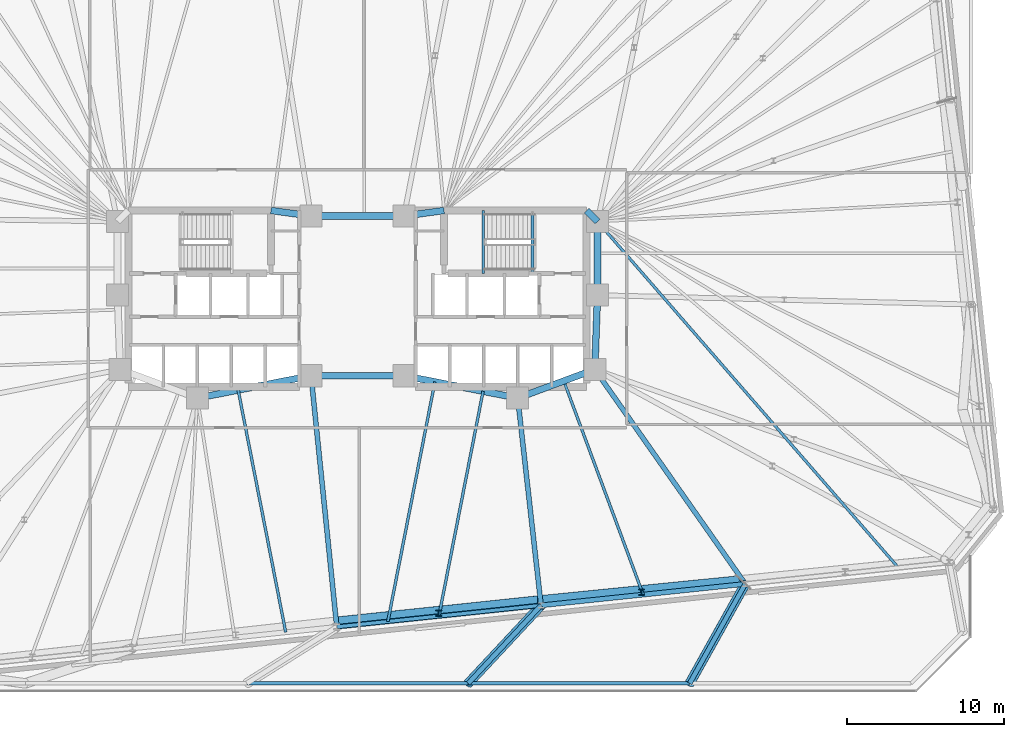
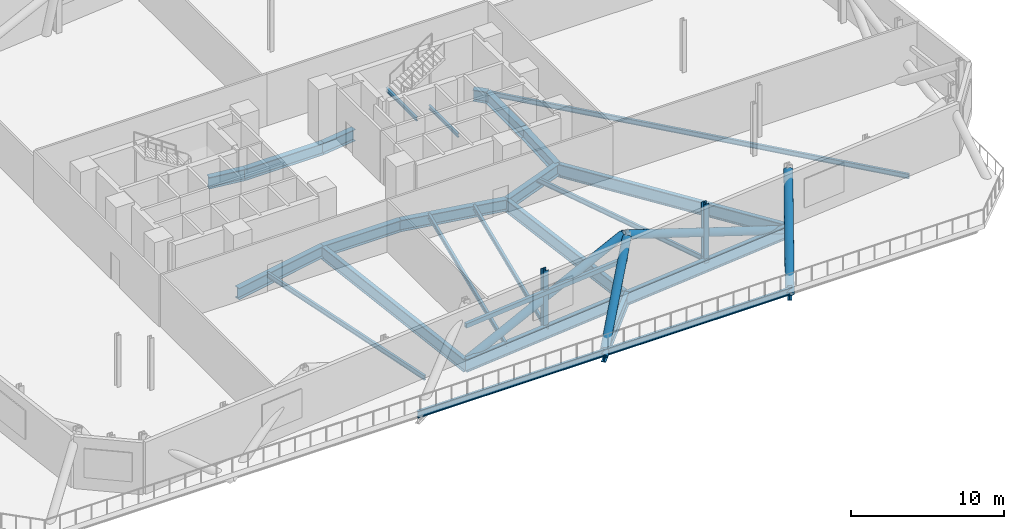
# One storey, part 7 of 17: 26 beams, 7 members.
"""IFC4 building model written with IfcOpenShell, lengths in metres."""

from ifc_helpers import new_model, si_unit, direction, frame, origin, origin_2d, place, context, subcontext, project, spatial, hollow_rectangle, hollow_circle, i_section, extrude, material, material_profile, profile_set, type_object, element, save


model = new_model("IFC4")

# Units and contexts
model_context = context("Model", 3, precision=1e-05, world=origin(), true_north=direction((0.0, 1.0)))
body_context = subcontext(model_context, "Body", "Model", "MODEL_VIEW")
ifc_project = project(units=[si_unit("LENGTHUNIT", "METRE"), si_unit("AREAUNIT", "SQUARE_METRE"), si_unit("VOLUMEUNIT", "CUBIC_METRE"), si_unit("PLANEANGLEUNIT", "RADIAN"), si_unit("MASSUNIT", "GRAM", prefix="KILO")], contexts=[model_context])

# Site, building, storey
site_placement = place(None, origin())
site = spatial("IfcSite", under=ifc_project, at=site_placement, CompositionType="ELEMENT")
building_placement = place(site_placement, origin())
building = spatial("IfcBuilding", under=site, at=building_placement, Name="Menara Jurai Vektor", CompositionType="ELEMENT")
storey_placement = place(building_placement, frame((0.0, 0.0, 78.800048828125)))
storey = spatial("IfcBuildingStorey", under=building, at=storey_placement, Name="L19", CompositionType="ELEMENT", Elevation=78.800048828125)

# Beams
ifc_material_1 = material(Name="Steel S355", Category="steel")
ifc_material_profile_1 = material_profile(ifc_material_1, i_section(OverallWidth=0.2109375, OverallDepth=0.5390625, WebThickness=0.011962890625, FlangeThickness=0.01904296875, FilletRadius=0.012939453125, at=origin_2d()), Name="UKB 533x210x109")
ifc_profile_set_1 = profile_set([ifc_material_profile_1], Name="Steel S355")
beam_type_1 = type_object("IfcBeamType", Name="STR-BM-533", PredefinedType="BEAM", material=ifc_profile_set_1)
beam_1_placement = place(storey_placement, frame((-7.03564453125, -24.449951171875, -0.674560546875), z_axis=(1.0, 0.0, 0.0), x_axis=(0.0, 1.0, 0.0)))
element("IfcBeam", 1, at=beam_1_placement, inside=storey, type_object=beam_type_1, Name="Step Terrace Edge Beam L19-03", PredefinedType="BEAM", context=body_context, shape_type="SweptSolid", body=[
    extrude(i_section(OverallWidth=0.2109375, OverallDepth=0.5390625, WebThickness=0.011962890625, FlangeThickness=0.01904296875, FilletRadius=0.012939453125, at=origin_2d()), origin(), (0.0, 0.0, 1.0), 14.0712890625),
])
beam_2_placement = place(storey_placement, frame((7.03564453125, -24.449951171875, -0.674560546875), z_axis=(1.0, 0.0, 0.0), x_axis=(0.0, 1.0, 0.0)))
element("IfcBeam", 2, at=beam_2_placement, inside=storey, type_object=beam_type_1, Name="Step Terrace Edge Beam L19-04", PredefinedType="BEAM", context=body_context, shape_type="SweptSolid", body=[
    extrude(i_section(OverallWidth=0.2109375, OverallDepth=0.5390625, WebThickness=0.011962890625, FlangeThickness=0.01904296875, FilletRadius=0.012939453125, at=origin_2d()), origin(), (0.0, 0.0, 1.0), 14.071044921875),
])
ifc_material_2 = material(Name="Steel S460", Category="steel")
ifc_material_profile_2 = material_profile(ifc_material_2, i_section(OverallWidth=0.30908203125, OverallDepth=1.035888671875, WebThickness=0.030029296875, FlangeThickness=0.053955078125, FilletRadius=0.030029296875, at=origin_2d()), Name="UKB 1016x305x487")
ifc_profile_set_2 = profile_set([ifc_material_profile_2], Name="Steel S460")
beam_type_2 = type_object("IfcBeamType", Name="STR-BM-TR1016", PredefinedType="BEAM", material=ifc_profile_set_2)
beam_3_placement = place(storey_placement, frame((-1.31689453125, -20.85791015625, -0.923095703125), z_axis=(0.994519486762, 0.104551377088, 0.0), x_axis=(-0.104551377088, 0.994519486762, 0.0)))
element("IfcBeam", 3, at=beam_3_placement, inside=storey, type_object=beam_type_2, Name="Belt Truss Bottom Chord L19-03", PredefinedType="BEAM", context=body_context, shape_type="SweptSolid", body=[
    extrude(i_section(OverallWidth=0.30908203125, OverallDepth=1.035888671875, WebThickness=0.030029296875, FlangeThickness=0.053955078125, FilletRadius=0.030029296875, at=origin_2d()), origin(), (0.0, 0.0, 1.0), 13.051025390625),
])
beam_4_placement = place(storey_placement, frame((-1.31689453125, -20.85791015625, -0.923095703125), z_axis=(-0.101802947506, 0.994804583765, 0.0), x_axis=(-0.994804583765, -0.101802947506, 0.0)))
element("IfcBeam", 4, at=beam_4_placement, inside=storey, type_object=beam_type_2, Name="Outrigger Transfer Girder L19-S3", PredefinedType="BEAM", context=body_context, shape_type="SweptSolid", body=[
    extrude(i_section(OverallWidth=0.30908203125, OverallDepth=1.035888671875, WebThickness=0.030029296875, FlangeThickness=0.053955078125, FilletRadius=0.030029296875, at=origin_2d()), origin(), (0.0, 0.0, 1.0), 16.041259765625),
])
beam_5_placement = place(storey_placement, frame((11.66259765625, -19.493408203125, -0.923095703125), z_axis=(0.99452337626, 0.104514372567, 0.0), x_axis=(-0.104514372567, 0.99452337626, 0.0)))
element("IfcBeam", 5, at=beam_5_placement, inside=storey, type_object=beam_type_2, Name="Belt Truss Bottom Chord L19-04", PredefinedType="BEAM", context=body_context, shape_type="SweptSolid", body=[
    extrude(i_section(OverallWidth=0.30908203125, OverallDepth=1.035888671875, WebThickness=0.030029296875, FlangeThickness=0.053955078125, FilletRadius=0.030029296875, at=origin_2d()), origin(), (0.0, 0.0, 1.0), 13.051025390625),
])
beam_6_placement = place(storey_placement, frame((7.03564453125, -24.449951171875, -0.923095703125), z_axis=(0.682384956899, 0.730993003111, 0.0), x_axis=(-0.730993003111, 0.682384956899, 0.0)))
element("IfcBeam", 6, at=beam_6_placement, inside=storey, type_object=beam_type_2, Name="Cantilever Transfer Girder L19-S4", PredefinedType="BEAM", context=body_context, shape_type="SweptSolid", body=[
    extrude(i_section(OverallWidth=0.30908203125, OverallDepth=1.035888671875, WebThickness=0.030029296875, FlangeThickness=0.053955078125, FilletRadius=0.030029296875, at=origin_2d()), origin(), (0.0, 0.0, 1.0), 6.780517578125),
])
beam_7_placement = place(storey_placement, frame((11.66259765625, -19.493408203125, -0.923095703125), z_axis=(-0.111844331087, 0.99372573963, 0.0), x_axis=(-0.99372573963, -0.111844331087, 0.0)))
element("IfcBeam", 7, at=beam_7_placement, inside=storey, type_object=beam_type_2, Name="Outrigger Transfer Girder L19-S4", PredefinedType="BEAM", context=body_context, shape_type="SweptSolid", body=[
    extrude(i_section(OverallWidth=0.30908203125, OverallDepth=1.035888671875, WebThickness=0.030029296875, FlangeThickness=0.053955078125, FilletRadius=0.030029296875, at=origin_2d()), origin(), (0.0, 0.0, 1.0), 13.256591796875),
])
beam_8_placement = place(storey_placement, frame((21.106689453125, -24.449951171875, -0.923095703125), z_axis=(0.488171141105, 0.872747922938, 0.0), x_axis=(-0.872747922938, 0.488171141105, 0.0)))
element("IfcBeam", 8, at=beam_8_placement, inside=storey, type_object=beam_type_2, Name="Cantilever Transfer Girder L19-S5", PredefinedType="BEAM", context=body_context, shape_type="SweptSolid", body=[
    extrude(i_section(OverallWidth=0.30908203125, OverallDepth=1.035888671875, WebThickness=0.030029296875, FlangeThickness=0.053955078125, FilletRadius=0.030029296875, at=origin_2d()), origin(), (0.0, 0.0, 1.0), 7.2421875),
])
beam_9_placement = place(storey_placement, frame((24.64208984375, -18.12939453125, -0.923095703125), z_axis=(-0.574326112611, 0.818626603754, 0.0), x_axis=(-0.818626603754, -0.574326112611, 0.0)))
element("IfcBeam", 9, at=beam_9_placement, inside=storey, type_object=beam_type_2, Name="Outrigger Transfer Girder L19-S5", PredefinedType="BEAM", context=body_context, shape_type="SweptSolid", body=[
    extrude(i_section(OverallWidth=0.30908203125, OverallDepth=1.035888671875, WebThickness=0.030029296875, FlangeThickness=0.053955078125, FilletRadius=0.030029296875, at=origin_2d()), origin(), (0.0, 0.0, 1.0), 16.649169921875),
])
ifc_material_profile_3 = material_profile(ifc_material_2, i_section(OverallWidth=0.4208984375, OverallDepth=0.9208984375, WebThickness=0.02099609375, FlangeThickness=0.037109375, FilletRadius=0.02392578125, at=origin_2d()), Name="UKB 914x419x388")
ifc_profile_set_3 = profile_set([ifc_material_profile_3], Name="Steel S460")
beam_type_3 = type_object("IfcBeamType", Name="STR-BM-TR914", PredefinedType="BEAM", material=ifc_profile_set_3)
beam_10_placement = place(storey_placement, frame((-5.5, 5.60009765625, -0.865478515625), z_axis=(0.990706818608, -0.136014703483, 0.0), x_axis=(0.136014703483, 0.990706818608, 0.0)))
element("IfcBeam", 10, at=beam_10_placement, inside=storey, type_object=beam_type_3, Name="Core Ring Header Girder L19-CHW-N2", PredefinedType="BEAM", context=body_context, shape_type="SweptSolid", body=[
    extrude(i_section(OverallWidth=0.4208984375, OverallDepth=0.9208984375, WebThickness=0.02099609375, FlangeThickness=0.037109375, FilletRadius=0.02392578125, at=origin_2d()), origin(), (0.0, 0.0, 1.0), 2.573974609375),
])
beam_11_placement = place(storey_placement, frame((-10.179931640625, -6.320068359375, -0.865478515625), z_axis=(0.981249044334, 0.192744164614, 0.0), x_axis=(-0.192744164614, 0.981249044334, 0.0)))
element("IfcBeam", 11, at=beam_11_placement, inside=storey, type_object=beam_type_3, Name="Core Ring Header Girder L19-CHW-S2", PredefinedType="BEAM", context=body_context, shape_type="SweptSolid", body=[
    extrude(i_section(OverallWidth=0.4208984375, OverallDepth=0.9208984375, WebThickness=0.02099609375, FlangeThickness=0.037109375, FilletRadius=0.02392578125, at=origin_2d()), origin(), (0.0, 0.0, 1.0), 7.3681640625),
])
beam_12_placement = place(storey_placement, frame((2.949951171875, 5.25, -0.865478515625), z_axis=(0.990706818608, 0.136014703483, 0.0), x_axis=(-0.136014703483, 0.990706818608, 0.0)))
element("IfcBeam", 12, at=beam_12_placement, inside=storey, type_object=beam_type_3, Name="Core Ring Header Girder L19-CHE-N1", PredefinedType="BEAM", context=body_context, shape_type="SweptSolid", body=[
    extrude(i_section(OverallWidth=0.4208984375, OverallDepth=0.9208984375, WebThickness=0.02099609375, FlangeThickness=0.037109375, FilletRadius=0.02392578125, at=origin_2d()), origin(), (0.0, 0.0, 1.0), 2.573974609375),
])
beam_13_placement = place(storey_placement, frame((14.56005859375, 5.60009765625, -0.865478515625), z_axis=(0.701871936926, -0.712303154672, 0.0), x_axis=(0.712303154672, 0.701871936926, 0.0)))
element("IfcBeam", 13, at=beam_13_placement, inside=storey, type_object=beam_type_3, Name="Core Ring Header Girder L19-CHE-N2", PredefinedType="BEAM", context=body_context, shape_type="SweptSolid", body=[
    extrude(i_section(OverallWidth=0.4208984375, OverallDepth=0.9208984375, WebThickness=0.02099609375, FlangeThickness=0.037109375, FilletRadius=0.02392578125, at=origin_2d()), origin(), (0.0, 0.0, 1.0), 0.98291015625),
])
beam_14_placement = place(storey_placement, frame((15.25, 0.219970703125, -0.865478515625), z_axis=(0.0, 1.0, 0.0), x_axis=(-1.0, 0.0, 0.0)))
element("IfcBeam", 14, at=beam_14_placement, inside=storey, type_object=beam_type_3, Name="Core Ring Header Girder L19-CHE-E1", PredefinedType="BEAM", context=body_context, shape_type="SweptSolid", body=[
    extrude(i_section(OverallWidth=0.4208984375, OverallDepth=0.9208984375, WebThickness=0.02099609375, FlangeThickness=0.037109375, FilletRadius=0.02392578125, at=origin_2d()), origin(), (0.0, 0.0, 1.0), 4.679931640625),
])
beam_15_placement = place(storey_placement, frame((15.080078125, -4.5, -0.865478515625), z_axis=(0.035977314146, 0.999352606874, 0.0), x_axis=(-0.999352606874, 0.035977314146, 0.0)))
element("IfcBeam", 15, at=beam_15_placement, inside=storey, type_object=beam_type_3, Name="Core Ring Header Girder L19-CHE-E2", PredefinedType="BEAM", context=body_context, shape_type="SweptSolid", body=[
    extrude(i_section(OverallWidth=0.4208984375, OverallDepth=0.9208984375, WebThickness=0.02099609375, FlangeThickness=0.037109375, FilletRadius=0.02392578125, at=origin_2d()), origin(), (0.0, 0.0, 1.0), 4.72314453125),
])
beam_16_placement = place(storey_placement, frame((10.179931640625, -6.320068359375, -0.865478515625), z_axis=(0.937424400887, 0.348188874925, 0.0), x_axis=(-0.348188874925, 0.937424400887, 0.0)))
element("IfcBeam", 16, at=beam_16_placement, inside=storey, type_object=beam_type_3, Name="Core Ring Header Girder L19-CHE-S1", PredefinedType="BEAM", context=body_context, shape_type="SweptSolid", body=[
    extrude(i_section(OverallWidth=0.4208984375, OverallDepth=0.9208984375, WebThickness=0.02099609375, FlangeThickness=0.037109375, FilletRadius=0.02392578125, at=origin_2d()), origin(), (0.0, 0.0, 1.0), 5.227294921875),
])
beam_17_placement = place(storey_placement, frame((2.949951171875, -4.89990234375, -0.865478515625), z_axis=(0.981249044334, -0.192744164614, 0.0), x_axis=(0.192744164614, 0.981249044334, 0.0)))
element("IfcBeam", 17, at=beam_17_placement, inside=storey, type_object=beam_type_3, Name="Core Ring Header Girder L19-CHE-S2", PredefinedType="BEAM", context=body_context, shape_type="SweptSolid", body=[
    extrude(i_section(OverallWidth=0.4208984375, OverallDepth=0.9208984375, WebThickness=0.02099609375, FlangeThickness=0.037109375, FilletRadius=0.02392578125, at=origin_2d()), origin(), (0.0, 0.0, 1.0), 7.3681640625),
])
for number, where, z_axis, x_axis, name in (
    (18, (-2.949951171875, -4.89990234375, -0.865478515625), (1.0, 0.0, 0.0), (0.0, 1.0, 0.0), "Core Ring Header Girder L19-CC-1"),
    (19, (-2.949951171875, 5.25, -0.865478515625), (1.0, 0.0, 0.0), (0.0, 1.0, 0.0), "Core Ring Header Girder L19-CC-2"),
):
    element("IfcBeam", number, at=place(storey_placement, frame(where, z_axis=z_axis, x_axis=x_axis)), inside=storey, type_object=beam_type_3, Name=name, PredefinedType="BEAM", context=body_context, shape_type="SweptSolid", body=[
        extrude(i_section(OverallWidth=0.4208984375, OverallDepth=0.9208984375, WebThickness=0.02099609375, FlangeThickness=0.037109375, FilletRadius=0.02392578125, at=origin_2d()), origin(), (0.0, 0.0, 1.0), 5.89990234375),
    ])

# Members
ifc_material_profile_4 = material_profile(ifc_material_2, hollow_circle(Radius=0.304931640625, WallThickness=0.02490234375, at=origin_2d()), Name="CHS 610x25")
ifc_profile_set_4 = profile_set([ifc_material_profile_4], Name="Steel S460")
member_type_1 = type_object("IfcMemberType", Name="STR-BR-610", PredefinedType="BRACE", material=ifc_profile_set_4)
member_1_placement = place(storey_placement, frame((-1.2578125, -20.52294921875, -0.923095703125), z_axis=(0.92901360375, 0.09763693803, 0.356932419907), x_axis=(-0.10452176482, 0.994522599381, 0.0)))
element("IfcMember", 20, at=member_1_placement, inside=storey, type_object=member_type_1, Name="Belt Truss Web Diagonal L19-03", PredefinedType="BRACE", context=body_context, shape_type="SweptSolid", body=[
    extrude(hollow_circle(Radius=0.304931640625, WallThickness=0.02490234375, at=origin_2d()), origin(), (0.0, 0.0, 1.0), 13.770263671875),
])
member_2_placement = place(storey_placement, frame((24.39453125, -17.896484375, -0.923095703125), z_axis=(-0.930073397741, -0.092719522555, 0.355480751872), x_axis=(0.099198833059, -0.995067631631, 0.0)))
element("IfcMember", 21, at=member_2_placement, inside=storey, type_object=member_type_1, Name="Belt Truss Web Diagonal L19-04", PredefinedType="BRACE", context=body_context, shape_type="SweptSolid", body=[
    extrude(hollow_circle(Radius=0.304931640625, WallThickness=0.02490234375, at=origin_2d()), origin(), (0.0, 0.0, 1.0), 13.826416015625),
])
ifc_material_profile_5 = material_profile(ifc_material_2, hollow_rectangle(XDim=0.25, YDim=0.35009765625, WallThickness=0.012451171875, at=origin_2d()), Name="RHS 350x250x12.5")
ifc_profile_set_5 = profile_set([ifc_material_profile_5], Name="Steel S460")
member_type_2 = type_object("IfcMemberType", Name="STR-CH-RHS350", PredefinedType="CHORD", material=ifc_profile_set_5)
member_3_placement = place(storey_placement, frame((-1.317138671875, -20.857666015625, 2.2548828125), z_axis=(0.994523580592, 0.104512428191, 0.0), x_axis=(-0.104512428191, 0.994523580592, 0.0)))
element("IfcMember", 22, at=member_3_placement, inside=storey, type_object=member_type_2, Name="Belt Truss Mid Chord L19-03", PredefinedType="CHORD", context=body_context, shape_type="SweptSolid", body=[
    extrude(hollow_rectangle(XDim=0.25, YDim=0.35009765625, WallThickness=0.012451171875, at=origin_2d()), origin(), (0.0, 0.0, 1.0), 13.05126953125),
])

# Beams
ifc_material_profile_6 = material_profile(ifc_material_1, i_section(OverallWidth=0.175048828125, OverallDepth=0.3798828125, WebThickness=0.010009765625, FlangeThickness=0.014892578125, at=origin_2d()), Name="PG 380x175x58")
ifc_profile_set_6 = profile_set([ifc_material_profile_6], Name="Steel S355")
beam_type_4 = type_object("IfcBeamType", Name="STR-JS-380", PredefinedType="JOIST", material=ifc_profile_set_6)
beam_18_placement = place(storey_placement, frame((-4.56201171875, -21.19873046875, -0.594970703125), z_axis=(-0.19271398667, 0.981254971627, 0.0), x_axis=(-0.981254971627, -0.19271398667, 0.0)))
element("IfcBeam", 23, at=beam_18_placement, inside=storey, type_object=beam_type_4, Name="Radial Secondary Floor Joist L19-JS05", PredefinedType="JOIST", context=body_context, shape_type="SweptSolid", body=[
    extrude(i_section(OverallWidth=0.175048828125, OverallDepth=0.3798828125, WebThickness=0.010009765625, FlangeThickness=0.014892578125, at=origin_2d()), origin(), (0.0, 0.0, 1.0), 15.682373046875),
])
beam_19_placement = place(storey_placement, frame((1.927978515625, -20.5166015625, -0.594970703125), z_axis=(0.192720963177, 0.981253601447, 0.0), x_axis=(-0.981253601447, 0.192720963177, 0.0)))
element("IfcBeam", 24, at=beam_19_placement, inside=storey, type_object=beam_type_4, Name="Radial Secondary Floor Joist L19-JS06", PredefinedType="JOIST", context=body_context, shape_type="SweptSolid", body=[
    extrude(i_section(OverallWidth=0.175048828125, OverallDepth=0.3798828125, WebThickness=0.010009765625, FlangeThickness=0.014892578125, at=origin_2d()), origin(), (0.0, 0.0, 1.0), 15.52099609375),
])
beam_20_placement = place(storey_placement, frame((5.1728515625, -20.175537109375, -0.594970703125), z_axis=(0.192719646422, 0.98125386006, 0.0), x_axis=(-0.98125386006, 0.192719646422, 0.0)))
element("IfcBeam", 25, at=beam_20_placement, inside=storey, type_object=beam_type_4, Name="Radial Secondary Floor Joist L19-JS07", PredefinedType="JOIST", context=body_context, shape_type="SweptSolid", body=[
    extrude(i_section(OverallWidth=0.175048828125, OverallDepth=0.3798828125, WebThickness=0.010009765625, FlangeThickness=0.014892578125, at=origin_2d()), origin(), (0.0, 0.0, 1.0), 14.560791015625),
])
beam_21_placement = place(storey_placement, frame((18.15234375, -18.811279296875, -0.594970703125), z_axis=(-0.348188645432, 0.937424486128, 0.0), x_axis=(-0.937424486128, -0.348188645432, 0.0)))
element("IfcBeam", 26, at=beam_21_placement, inside=storey, type_object=beam_type_4, Name="Radial Secondary Floor Joist L19-JS08", PredefinedType="JOIST", context=body_context, shape_type="SweptSolid", body=[
    extrude(i_section(OverallWidth=0.175048828125, OverallDepth=0.3798828125, WebThickness=0.010009765625, FlangeThickness=0.014892578125, at=origin_2d()), origin(), (0.0, 0.0, 1.0), 14.485595703125),
])
beam_22_placement = place(storey_placement, frame((34.376953125, -17.106201171875, -0.594970703125), z_axis=(-0.656007047389, 0.754754763996, 0.0), x_axis=(-0.754754763996, -0.656007047389, 0.0)))
element("IfcBeam", 27, at=beam_22_placement, inside=storey, type_object=beam_type_4, Name="Radial Secondary Floor Joist L19-JS09", PredefinedType="JOIST", context=body_context, shape_type="SweptSolid", body=[
    extrude(i_section(OverallWidth=0.175048828125, OverallDepth=0.3798828125, WebThickness=0.010009765625, FlangeThickness=0.014892578125, at=origin_2d()), origin(), (0.0, 0.0, 1.0), 29.15673828125),
])
ifc_material_profile_7 = material_profile(ifc_material_1, i_section(OverallWidth=0.1650390625, OverallDepth=0.302978515625, WebThickness=0.006103515625, FlangeThickness=0.010009765625, FilletRadius=0.009033203125, at=origin_2d()), Name="UKB 305x165x40")
ifc_profile_set_7 = profile_set([ifc_material_profile_7], Name="Steel S355")
beam_type_5 = type_object("IfcBeamType", Name="STR-LN-305", PredefinedType="LINTEL", material=ifc_profile_set_7)
beam_23_placement = place(storey_placement, frame((11.1201171875, 1.60009765625, -0.556640625), z_axis=(0.0, 1.0, 0.0), x_axis=(-1.0, 0.0, 0.0)))
element("IfcBeam", 28, at=beam_23_placement, inside=storey, type_object=beam_type_5, Name="Stair Well Floor Trimmer ST2 L19", PredefinedType="LINTEL", context=body_context, shape_type="SweptSolid", body=[
    extrude(i_section(OverallWidth=0.1650390625, OverallDepth=0.302978515625, WebThickness=0.006103515625, FlangeThickness=0.010009765625, FilletRadius=0.009033203125, at=origin_2d()), origin(), (0.0, 0.0, 1.0), 3.81982421875),
])
beam_24_placement = place(storey_placement, frame((7.989990234375, 1.60009765625, 1.848388671875), z_axis=(0.0, 1.0, 0.0), x_axis=(-1.0, 0.0, 0.0)))
element("IfcBeam", 29, at=beam_24_placement, inside=storey, type_object=beam_type_5, Name="Stair Half-Landing Nosing Trimmer ST2-1 L19", PredefinedType="LINTEL", context=body_context, shape_type="SweptSolid", body=[
    extrude(i_section(OverallWidth=0.1650390625, OverallDepth=0.302978515625, WebThickness=0.006103515625, FlangeThickness=0.010009765625, FilletRadius=0.009033203125, at=origin_2d()), origin(), (0.0, 0.0, 1.0), 4.0),
])

# Members
ifc_material_profile_8 = material_profile(ifc_material_2, i_section(OverallWidth=0.375, OverallDepth=0.375, WebThickness=0.01708984375, FlangeThickness=0.027099609375, FilletRadius=0.014892578125, at=origin_2d()), Name="UKC 356x368x202")
ifc_profile_set_8 = profile_set([ifc_material_profile_8], Name="Steel S460")
member_type_3 = type_object("IfcMemberType", Name="STR-POST-368", PredefinedType="POST", material=ifc_profile_set_8)
for number, where, z_axis, x_axis, name in (
    (30, (5.154052734375, -19.99658203125, -0.755126953125), (0.0, 0.0, 1.0), (1.0, 0.0, 0.0), "Belt Truss Vertical Web Post L19-03"),
    (31, (18.046875, -18.66552734375, -0.755126953125), (0.0, 0.0, 1.0), (1.0, 0.0, 0.0), "Belt Truss Vertical Web Post L19-04"),
):
    element("IfcMember", number, at=place(storey_placement, frame(where, z_axis=z_axis, x_axis=x_axis)), inside=storey, type_object=member_type_3, Name=name, PredefinedType="POST", context=body_context, shape_type="SweptSolid", body=[
        extrude(i_section(OverallWidth=0.375, OverallDepth=0.375, WebThickness=0.01708984375, FlangeThickness=0.027099609375, FilletRadius=0.014892578125, at=origin_2d()), origin(), (0.0, 0.0, 1.0), 4.705078125),
    ])
ifc_material_profile_9 = material_profile(ifc_material_2, hollow_circle(Radius=0.304931640625, WallThickness=0.02490234375, at=origin_2d()), Name="CHS 610x25")
ifc_profile_set_9 = profile_set([ifc_material_profile_9], Name="Steel S460")
member_type_4 = type_object("IfcMemberType", Name="STR-ST-610", PredefinedType="STRUT", material=ifc_profile_set_9)
member_4_placement = place(storey_placement, frame((7.03564453125, -24.449951171875, -0.923095703125), z_axis=(0.55250912832, 0.591836630119, 0.58690975999), x_axis=(-0.730976236302, 0.68240291761, 0.0)))
element("IfcMember", 32, at=member_4_placement, inside=storey, type_object=member_type_4, Name="Transfer Outrigger Strut L19-S4", PredefinedType="STRUT", context=body_context, shape_type="SweptSolid", body=[
    extrude(hollow_circle(Radius=0.304931640625, WallThickness=0.02490234375, at=origin_2d()), origin(), (0.0, 0.0, 1.0), 8.37451171875),
])
member_5_placement = place(storey_placement, frame((21.106689453125, -24.449951171875, -0.923095703125), z_axis=(0.403954101439, 0.722135598132, 0.561552545931), x_axis=(-0.87273356015, 0.48819681788, 0.0)))
element("IfcMember", 33, at=member_5_placement, inside=storey, type_object=member_type_4, Name="Transfer Outrigger Strut L19-S5", PredefinedType="STRUT", context=body_context, shape_type="SweptSolid", body=[
    extrude(hollow_circle(Radius=0.304931640625, WallThickness=0.02490234375, at=origin_2d()), origin(), (0.0, 0.0, 1.0), 8.752685546875),
])

save(model, "model.ifc")
